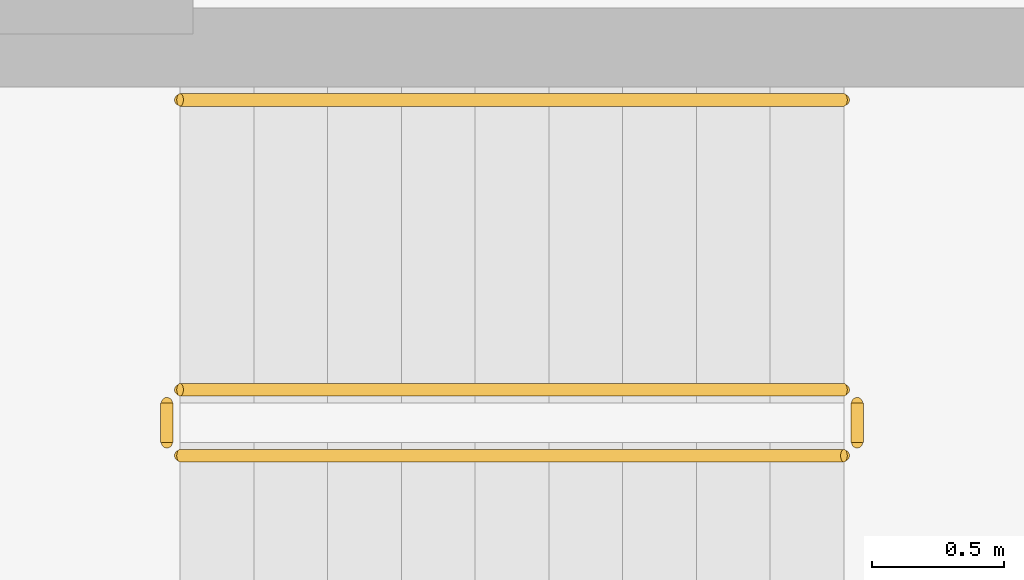
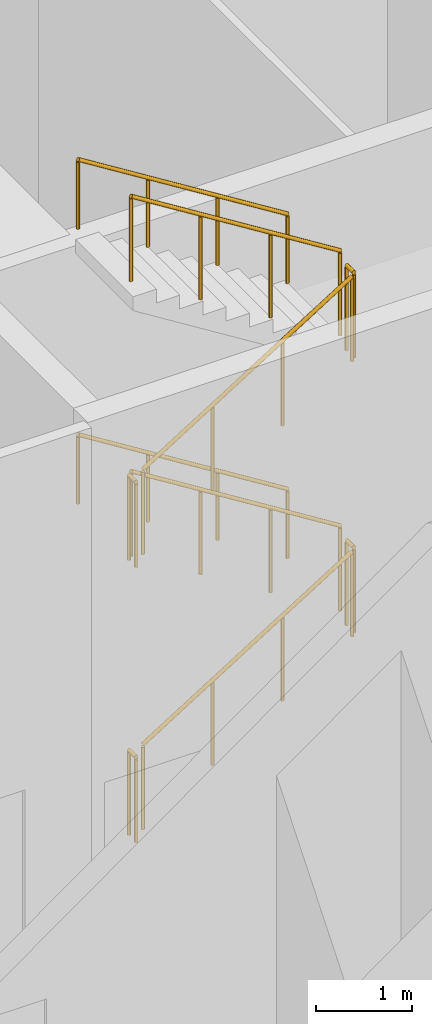
# One storey, part 17 of 21: 10 railings.
"""IFC4 building model written with IfcOpenShell, lengths in metres."""

from ifc_helpers import new_model, si_unit, direction, frame, origin, origin_2d, place, context, subcontext, project, spatial, circle, extrude, material, type_object, element, save


model = new_model("IFC4")

# Units and contexts
model_context = context("Model", 3, precision=1e-05, world=origin(), true_north=direction((0.0, 1.0)))
body_context = subcontext(model_context, "Body", "Model", "MODEL_VIEW")
ifc_project = project(units=[si_unit("LENGTHUNIT", "METRE"), si_unit("AREAUNIT", "SQUARE_METRE"), si_unit("VOLUMEUNIT", "CUBIC_METRE"), si_unit("PLANEANGLEUNIT", "RADIAN"), si_unit("MASSUNIT", "GRAM", prefix="KILO")], contexts=[model_context])

# Site, building, storey
site_placement = place(None, origin())
site = spatial("IfcSite", under=ifc_project, at=site_placement, CompositionType="ELEMENT")
building_placement = place(site_placement, origin())
building = spatial("IfcBuilding", under=site, at=building_placement, Name="Brevane Broadcast Tower", CompositionType="ELEMENT")
storey_placement = place(building_placement, origin())
storey = spatial("IfcBuildingStorey", under=building, at=storey_placement, Name="L00", CompositionType="ELEMENT", Elevation=0.0)

# Railings
ifc_material = material(Name="Steel S355", Category="steel")
railing_type_1 = type_object("IfcRailingType", Name="Exit stair guard", PredefinedType="GUARDRAIL", material=ifc_material)
railing_1_placement = place(storey_placement, frame((42.699951171875, 14.449951171875, 0.175048828125)))
element("IfcRailing", 1, at=railing_1_placement, inside=storey, type_object=railing_type_1, Name="L00 ST-4 stair guard 1", PredefinedType="GUARDRAIL", context=body_context, shape_type="SweptSolid", body=[
    extrude(circle(Radius=0.02392578125, at=origin_2d()), frame((0.0, 0.0, 1.076171875), z_axis=(0.848007534815, 0.0, 0.529984170421), x_axis=(0.0, 1.0, 0.0)), (0.0, 0.0, 1.0), 2.9716796875),
    extrude(circle(Radius=0.02099609375, at=origin_2d()), origin(), (0.0, 0.0, 1.0), 1.052001953125),
    extrude(circle(Radius=0.02099609375, at=origin_2d()), frame((0.840087890625, 0.0, 0.52490234375)), (0.0, 0.0, 1.0), 1.052001953125),
    extrude(circle(Radius=0.02099609375, at=origin_2d()), frame((1.679931640625, 0.0, 1.050048828125)), (0.0, 0.0, 1.0), 1.052001953125),
    extrude(circle(Radius=0.02099609375, at=origin_2d()), frame((2.52001953125, 0.0, 1.574951171875)), (0.0, 0.0, 1.0), 1.052001953125),
])
railing_2_placement = place(storey_placement, frame((45.27001953125, 14.5, 1.75)))
element("IfcRailing", 2, at=railing_2_placement, inside=storey, type_object=railing_type_1, Name="L00 ST-4 stair guard 2", PredefinedType="GUARDRAIL", context=body_context, shape_type="SweptSolid", body=[
    extrude(circle(Radius=0.02392578125, at=origin_2d()), frame((0.0, 0.0, 1.076171875), z_axis=(0.0, 1.0, 0.0), x_axis=(-1.0, 0.0, 0.0)), (0.0, 0.0, 1.0), 0.14990234375),
    extrude(circle(Radius=0.02099609375, at=origin_2d()), origin(), (0.0, 0.0, 1.0), 1.052001953125),
    extrude(circle(Radius=0.02099609375, at=origin_2d()), frame((0.0, 0.14990234375, 0.0)), (0.0, 0.0, 1.0), 1.052001953125),
])
railing_3_placement = place(storey_placement, frame((45.219970703125, 14.699951171875, 1.925048828125)))
element("IfcRailing", 3, at=railing_3_placement, inside=storey, type_object=railing_type_1, Name="L00 ST-4 stair guard 3", PredefinedType="GUARDRAIL", context=body_context, shape_type="SweptSolid", body=[
    extrude(circle(Radius=0.02392578125, at=origin_2d()), frame((0.0, 0.0, 1.076171875), z_axis=(-0.848007534815, 0.0, 0.529984170421), x_axis=(0.0, -1.0, 0.0)), (0.0, 0.0, 1.0), 2.9716796875),
    extrude(circle(Radius=0.02099609375, at=origin_2d()), origin(), (0.0, 0.0, 1.0), 1.052001953125),
    extrude(circle(Radius=0.02099609375, at=origin_2d()), frame((-0.840087890625, 0.0, 0.52490234375)), (0.0, 0.0, 1.0), 1.052001953125),
    extrude(circle(Radius=0.02099609375, at=origin_2d()), frame((-1.679931640625, 0.0, 1.050048828125)), (0.0, 0.0, 1.0), 1.052001953125),
    extrude(circle(Radius=0.02099609375, at=origin_2d()), frame((-2.52001953125, 0.0, 1.574951171875)), (0.0, 0.0, 1.0), 1.052001953125),
])
railing_4_placement = place(storey_placement, frame((42.64990234375, 14.5, 3.5)))
element("IfcRailing", 4, at=railing_4_placement, inside=storey, type_object=railing_type_1, Name="L00 ST-4 stair guard 4", PredefinedType="GUARDRAIL", context=body_context, shape_type="SweptSolid", body=[
    extrude(circle(Radius=0.02392578125, at=origin_2d()), frame((0.0, 0.0, 1.076171875), z_axis=(0.0, 1.0, 0.0), x_axis=(-1.0, 0.0, 0.0)), (0.0, 0.0, 1.0), 0.14990234375),
    extrude(circle(Radius=0.02099609375, at=origin_2d()), origin(), (0.0, 0.0, 1.0), 1.052001953125),
    extrude(circle(Radius=0.02099609375, at=origin_2d()), frame((0.0, 0.14990234375, 0.0)), (0.0, 0.0, 1.0), 1.052001953125),
])
railing_5_placement = place(storey_placement, frame((42.699951171875, 14.449951171875, 3.675048828125)))
element("IfcRailing", 5, at=railing_5_placement, inside=storey, type_object=railing_type_1, Name="L00 ST-4 stair guard 5", PredefinedType="GUARDRAIL", context=body_context, shape_type="SweptSolid", body=[
    extrude(circle(Radius=0.02392578125, at=origin_2d()), frame((0.0, 0.0, 1.076171875), z_axis=(0.848007534815, 0.0, 0.529984170421), x_axis=(0.0, 1.0, 0.0)), (0.0, 0.0, 1.0), 2.9716796875),
    extrude(circle(Radius=0.02099609375, at=origin_2d()), origin(), (0.0, 0.0, 1.0), 1.052001953125),
    extrude(circle(Radius=0.02099609375, at=origin_2d()), frame((0.840087890625, 0.0, 0.52490234375)), (0.0, 0.0, 1.0), 1.052001953125),
    extrude(circle(Radius=0.02099609375, at=origin_2d()), frame((1.679931640625, 0.0, 1.050048828125)), (0.0, 0.0, 1.0), 1.052001953125),
    extrude(circle(Radius=0.02099609375, at=origin_2d()), frame((2.52001953125, 0.0, 1.574951171875)), (0.0, 0.0, 1.0), 1.052001953125),
])
railing_6_placement = place(storey_placement, frame((45.27001953125, 14.5, 5.25)))
element("IfcRailing", 6, at=railing_6_placement, inside=storey, type_object=railing_type_1, Name="L00 ST-4 stair guard 6", PredefinedType="GUARDRAIL", context=body_context, shape_type="SweptSolid", body=[
    extrude(circle(Radius=0.02392578125, at=origin_2d()), frame((0.0, 0.0, 1.076171875), z_axis=(0.0, 1.0, 0.0), x_axis=(-1.0, 0.0, 0.0)), (0.0, 0.0, 1.0), 0.14990234375),
    extrude(circle(Radius=0.02099609375, at=origin_2d()), origin(), (0.0, 0.0, 1.0), 1.052001953125),
    extrude(circle(Radius=0.02099609375, at=origin_2d()), frame((0.0, 0.14990234375, 0.0)), (0.0, 0.0, 1.0), 1.052001953125),
])
railing_7_placement = place(storey_placement, frame((45.219970703125, 14.699951171875, 5.425048828125)))
element("IfcRailing", 7, at=railing_7_placement, inside=storey, type_object=railing_type_1, Name="L00 ST-4 stair guard 7", PredefinedType="GUARDRAIL", context=body_context, shape_type="SweptSolid", body=[
    extrude(circle(Radius=0.02392578125, at=origin_2d()), frame((0.0, 0.0, 1.076171875), z_axis=(-0.848007534815, 0.0, 0.529984170421), x_axis=(0.0, -1.0, 0.0)), (0.0, 0.0, 1.0), 2.9716796875),
    extrude(circle(Radius=0.02099609375, at=origin_2d()), origin(), (0.0, 0.0, 1.0), 1.052001953125),
    extrude(circle(Radius=0.02099609375, at=origin_2d()), frame((-0.840087890625, 0.0, 0.52490234375)), (0.0, 0.0, 1.0), 1.052001953125),
    extrude(circle(Radius=0.02099609375, at=origin_2d()), frame((-1.679931640625, 0.0, 1.050048828125)), (0.0, 0.0, 1.0), 1.052001953125),
    extrude(circle(Radius=0.02099609375, at=origin_2d()), frame((-2.52001953125, 0.0, 1.574951171875)), (0.0, 0.0, 1.0), 1.052001953125),
])
railing_8_placement = place(storey_placement, frame((42.64990234375, 14.5, 0.0)))
element("IfcRailing", 8, at=railing_8_placement, inside=storey, type_object=railing_type_1, Name="L00 ST-4 stair guard 8", PredefinedType="GUARDRAIL", context=body_context, shape_type="SweptSolid", body=[
    extrude(circle(Radius=0.02392578125, at=origin_2d()), frame((0.0, 0.0, 1.076171875), z_axis=(0.0, 1.0, 0.0), x_axis=(-1.0, 0.0, 0.0)), (0.0, 0.0, 1.0), 0.14990234375),
    extrude(circle(Radius=0.02099609375, at=origin_2d()), origin(), (0.0, 0.0, 1.0), 1.052001953125),
    extrude(circle(Radius=0.02099609375, at=origin_2d()), frame((0.0, 0.14990234375, 0.0)), (0.0, 0.0, 1.0), 1.052001953125),
])
railing_type_2 = type_object("IfcRailingType", Name="Exit stair handrail", PredefinedType="HANDRAIL", material=ifc_material)
for number, where, name in (
    (9, (45.219970703125, 15.800048828125, 1.925048828125), "L00 ST-4 stair handrail 2"),
    (10, (45.219970703125, 15.800048828125, 5.425048828125), "L00 ST-4 stair handrail 4"),
):
    element("IfcRailing", number, at=place(storey_placement, frame(where)), inside=storey, type_object=railing_type_2, Name=name, PredefinedType="HANDRAIL", context=body_context, shape_type="SweptSolid", body=[
        extrude(circle(Radius=0.02392578125, at=origin_2d()), frame((0.0, 0.0, 0.8759765625), z_axis=(-0.848007534815, 0.0, 0.529984170421), x_axis=(0.0, -1.0, 0.0)), (0.0, 0.0, 1.0), 2.9716796875),
        extrude(circle(Radius=0.02099609375, at=origin_2d()), origin(), (0.0, 0.0, 1.0), 0.851806640625),
        extrude(circle(Radius=0.02099609375, at=origin_2d()), frame((-0.840087890625, 0.0, 0.52490234375)), (0.0, 0.0, 1.0), 0.851806640625),
        extrude(circle(Radius=0.02099609375, at=origin_2d()), frame((-1.679931640625, 0.0, 1.050048828125)), (0.0, 0.0, 1.0), 0.851806640625),
        extrude(circle(Radius=0.02099609375, at=origin_2d()), frame((-2.52001953125, 0.0, 1.574951171875)), (0.0, 0.0, 1.0), 0.851806640625),
    ])

save(model, "model.ifc")
